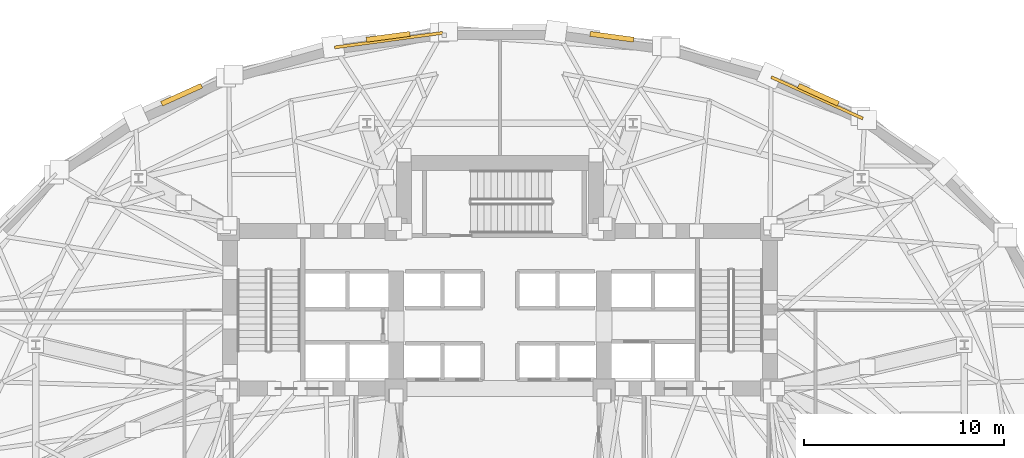
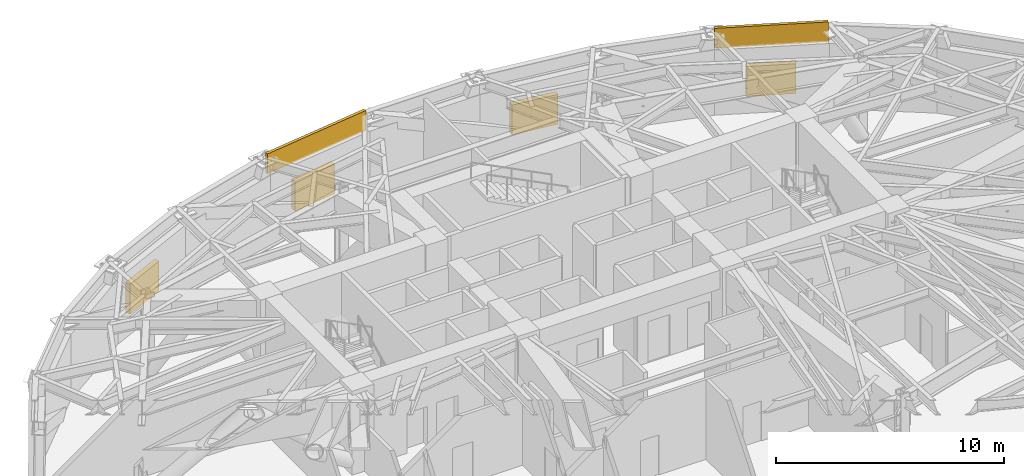
# One storey, part 14 of 14: 4 shading devices, 2 coverings.
"""IFC4 building model written with IfcOpenShell, lengths in metres."""

from ifc_helpers import new_model, si_unit, direction, frame, origin, origin_2d, place, context, subcontext, project, spatial, rectangle, extrude, material, layer, layer_set, type_object, element, save


model = new_model("IFC4")

# Units and contexts
model_context = context("Model", 3, precision=1e-05, world=origin(), true_north=direction((0.0, 1.0)))
body_context = subcontext(model_context, "Body", "Model", "MODEL_VIEW")
ifc_project = project(units=[si_unit("LENGTHUNIT", "METRE"), si_unit("AREAUNIT", "SQUARE_METRE"), si_unit("VOLUMEUNIT", "CUBIC_METRE"), si_unit("PLANEANGLEUNIT", "RADIAN"), si_unit("MASSUNIT", "GRAM", prefix="KILO")], contexts=[model_context])

# Site, building, storey
site_placement = place(None, origin())
site = spatial("IfcSite", under=ifc_project, at=site_placement, CompositionType="ELEMENT")
building_placement = place(site_placement, origin())
building = spatial("IfcBuilding", under=site, at=building_placement, Name="Keldmark Tower", CompositionType="ELEMENT")
storey_placement = place(building_placement, frame((0.0, 0.0, 77.39990234375)))
storey = spatial("IfcBuildingStorey", under=building, at=storey_placement, Name="L20", CompositionType="ELEMENT", Elevation=77.39990234375)

# Coverings
ifc_material_1 = material(Name="Honed Kasota Buff Dolomitic Limestone", Category="masonry")
ifc_layer = layer(ifc_material_1, 0.074951171875)
ifc_layer_set = layer_set([ifc_layer], Name="Honed Kasota Buff Dolomitic Limestone")
covering_type = type_object("IfcCoveringType", Name="Kasota Buff Limestone Spandrel Cladding Band", PredefinedType="CLADDING", material=ifc_layer_set)
covering_1_placement = place(storey_placement, frame((15.8779296875, 16.035400390625, 3.422119140625), z_axis=(0.0, 0.0, 1.0), x_axis=(-0.911094181936, 0.412198243134, 0.0)))
element("IfcCovering", 1, at=covering_1_placement, inside=storey, type_object=covering_type, Name="L20 Kasota Limestone Spandrel Band 05", PredefinedType="CLADDING", context=body_context, shape_type="SweptSolid", body=[
    extrude(rectangle(XDim=5.032470703125, YDim=0.14990234375, at=origin_2d()), origin(), (0.0, 0.0, 1.0), 1.05810546875),
])
covering_2_placement = place(storey_placement, frame((-5.576904296875, 18.92431640625, 3.422119140625), z_axis=(0.0, 0.0, 1.0), x_axis=(-0.991050889278, -0.133484586607, 0.0)))
element("IfcCovering", 2, at=covering_2_placement, inside=storey, type_object=covering_type, Name="L20 Kasota Limestone Spandrel Band 09", PredefinedType="CLADDING", context=body_context, shape_type="SweptSolid", body=[
    extrude(rectangle(XDim=5.46728515625, YDim=0.14990234375, at=origin_2d()), origin(), (0.0, 0.0, 1.0), 1.05810546875),
])

# Shading devices
ifc_material_2 = material(Name="Fluoropolymer-Coated Extruded Aluminum Stormproof Blades", Category="aluminium")
shading_device_type = type_object("IfcShadingDeviceType", Name="Mechanical Floor Acoustic Intake Louvre", PredefinedType="JALOUSIE", material=ifc_material_2)
for number, where, z_axis, x_axis, name in (
    (3, (15.947998046875, 16.190185546875, 0.650146484375), (0.0, 0.0, 1.0), (-0.911094181936, 0.412198243134, 0.0), "L20 Acoustic Stormproof Louvre 05"),
    (4, (5.599609375, 19.0927734375, 0.650146484375), (0.0, 0.0, 1.0), (-0.991050889278, 0.133484586607, 0.0), "L20 Acoustic Stormproof Louvre 07"),
    (5, (-5.599609375, 19.0927734375, 0.650146484375), (0.0, 0.0, 1.0), (-0.991050889278, -0.133484586607, 0.0), "L20 Acoustic Stormproof Louvre 09"),
    (6, (-15.947998046875, 16.190185546875, 0.650146484375), (0.0, 0.0, 1.0), (-0.911094181936, -0.412198243134, 0.0), "L20 Acoustic Stormproof Louvre 11"),
):
    element("IfcShadingDevice", number, at=place(storey_placement, frame(where, z_axis=z_axis, x_axis=x_axis)), inside=storey, type_object=shading_device_type, Name=name, PredefinedType="JALOUSIE", context=body_context, shape_type="SweptSolid", body=[
        extrude(rectangle(XDim=2.199951171875, YDim=0.25, at=origin_2d()), origin(), (0.0, 0.0, 1.0), 1.60009765625),
    ])

save(model, "model.ifc")
